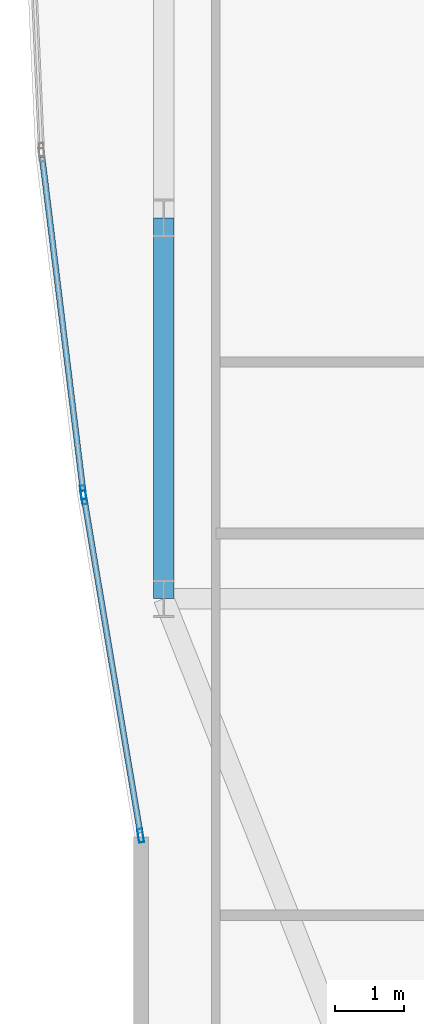
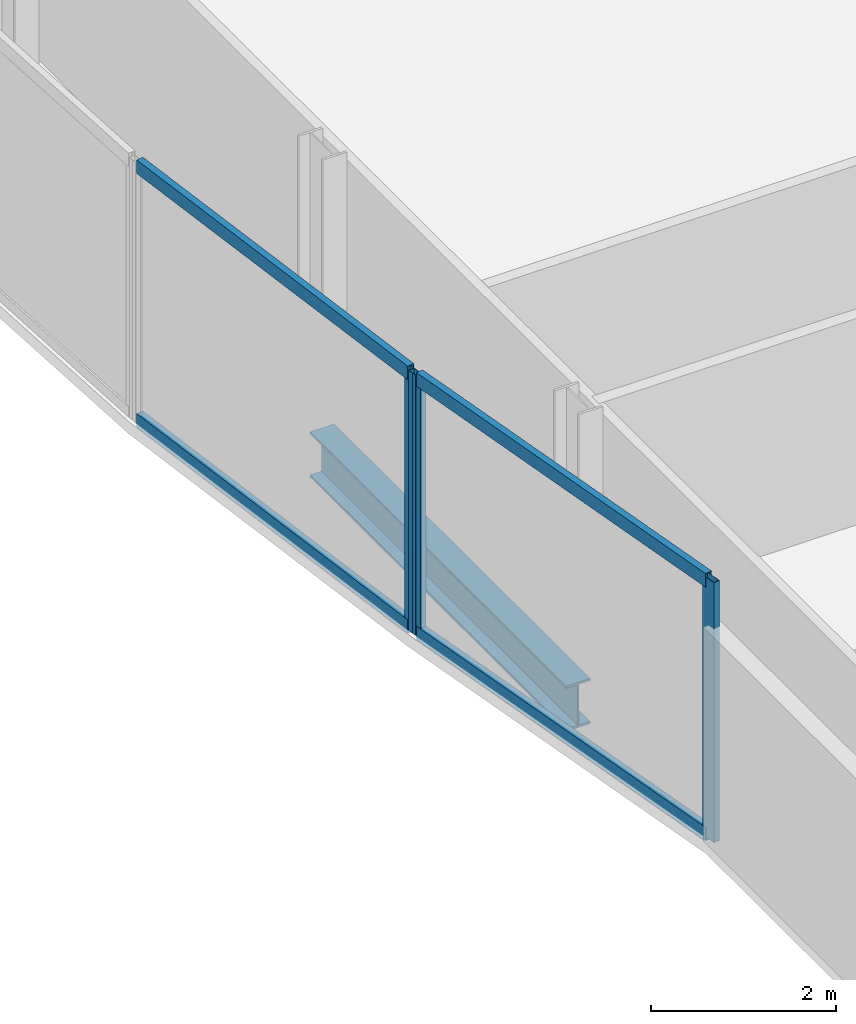
# One storey, part 6 of 31: 7 members, 1 beam, 2 elements without a shape of their own.
"""IFC4 building model written with IfcOpenShell, lengths in metres."""

from ifc_helpers import new_model, si_unit, direction, frame, origin, origin_2d, place, context, subcontext, project, spatial, hollow_rectangle, i_section, extrude, material, material_profile, profile_set, type_object, element, aggregate, save


model = new_model("IFC4")

# Units and contexts
model_context = context("Model", 3, precision=1e-05, world=origin(), true_north=direction((0.0, 1.0)))
body_context = subcontext(model_context, "Body", "Model", "MODEL_VIEW")
ifc_project = project(units=[si_unit("LENGTHUNIT", "METRE"), si_unit("AREAUNIT", "SQUARE_METRE"), si_unit("VOLUMEUNIT", "CUBIC_METRE"), si_unit("PLANEANGLEUNIT", "RADIAN"), si_unit("MASSUNIT", "GRAM", prefix="KILO")], contexts=[model_context])

# Site, building, storey
site_placement = place(None, origin())
site = spatial("IfcSite", under=ifc_project, at=site_placement, CompositionType="ELEMENT")
building_placement = place(site_placement, origin())
building = spatial("IfcBuilding", under=site, at=building_placement, Name="Khoronbel Lancet Exchange", CompositionType="ELEMENT")
storey_placement = place(building_placement, frame((0.0, 0.0, 121.800048828125)))
storey = spatial("IfcBuildingStorey", under=building, at=storey_placement, Name="L29", CompositionType="ELEMENT", Elevation=121.800048828125)

# Beam
ifc_material_1 = material(Name="Steel S355", Category="steel")
ifc_material_profile_1 = material_profile(ifc_material_1, i_section(OverallWidth=0.300048828125, OverallDepth=0.60009765625, WebThickness=0.015380859375, FlangeThickness=0.030029296875, at=origin_2d()), Name="HEB 600")
ifc_profile_set_1 = profile_set([ifc_material_profile_1], Name="Steel S355")
beam_type = type_object("IfcBeamType", Name="BM-BSP2", PredefinedType="SPANDREL", material=ifc_profile_set_1)
beam_placement = place(storey_placement, frame((3.27001953125, 24.75, -0.4599609375), z_axis=(0.0, -1.0, 0.0), x_axis=(1.0, 0.0, 0.0)))
element("IfcBeam", 1, at=beam_placement, inside=storey, type_object=beam_type, Name="Level L29 perimeter spandrel beam SP20", PredefinedType="SPANDREL", context=body_context, shape_type="SweptSolid", body=[
    extrude(i_section(OverallWidth=0.300048828125, OverallDepth=0.60009765625, WebThickness=0.015380859375, FlangeThickness=0.030029296875, at=origin_2d()), origin(), (0.0, 0.0, 1.0), 5.550048828125),
])

# Curtain wall, members
ifc_material_2 = material(Name="Low-E Solar Control Insulating Glass", Category="glass")
curtain_wall_type = type_object("IfcCurtainWallType", Name="CW-4", PredefinedType="NOTDEFINED", material=ifc_material_2)
curtain_wall_1_placement = place(storey_placement, origin())
curtain_wall_1 = element("IfcCurtainWall", 2, at=curtain_wall_1_placement, inside=storey, type_object=curtain_wall_type, Name="Unitised curtain wall CW-L29-E04", PredefinedType="NOTDEFINED")
ifc_material_3 = material(Name="Bronze-Anodised Aluminium 6063-T6", Category="aluminium")
ifc_material_profile_2 = material_profile(ifc_material_3, hollow_rectangle(XDim=0.074951171875, YDim=0.199951171875, WallThickness=0.0048828125, at=origin_2d()), Name="ALU MULLION 75x200")
ifc_profile_set_2 = profile_set([ifc_material_profile_2], Name="Bronze-Anodised Aluminium 6063-T6")
member_type_1 = type_object("IfcMemberType", Name="MEM-CWM2", PredefinedType="MULLION", material=ifc_profile_set_2)
member_1_placement = place(storey_placement, frame((2.933837890625, 15.744384765625, 0.0), z_axis=(0.0, 0.0, 1.0), x_axis=(-0.986244409726, -0.165293570002, 0.0)))
member_1 = element("IfcMember", 3, at=member_1_placement, type_object=member_type_1, Name="CW4 mullion 1", PredefinedType="MULLION", context=body_context, shape_type="SweptSolid", body=[
    extrude(hollow_rectangle(XDim=0.074951171875, YDim=0.199951171875, WallThickness=0.0048828125, at=origin_2d()), origin(), (0.0, 0.0, 1.0), 3.43994140625),
])
member_2_placement = place(storey_placement, frame((2.107177734375, 20.676025390625, 0.0), z_axis=(0.0, 0.0, 1.0), x_axis=(-0.986244409726, -0.165293570002, 0.0)))
member_2 = element("IfcMember", 4, at=member_2_placement, type_object=member_type_1, Name="CW4 mullion 2", PredefinedType="MULLION", context=body_context, shape_type="SweptSolid", body=[
    extrude(hollow_rectangle(XDim=0.074951171875, YDim=0.199951171875, WallThickness=0.0048828125, at=origin_2d()), origin(), (0.0, 0.0, 1.0), 3.43994140625),
])

# Curtain wall, member
curtain_wall_2_placement = place(storey_placement, origin())
curtain_wall_2 = element("IfcCurtainWall", 5, at=curtain_wall_2_placement, inside=storey, type_object=curtain_wall_type, Name="Unitised curtain wall CW-L29-E05", PredefinedType="NOTDEFINED")
member_3_placement = place(storey_placement, frame((2.096435546875, 20.75, 0.0), z_axis=(0.0, 0.0, 1.0), x_axis=(-0.992557199503, -0.121779332051, 0.0)))
member_3 = element("IfcMember", 6, at=member_3_placement, type_object=member_type_1, Name="CW4 mullion 1", PredefinedType="MULLION", context=body_context, shape_type="SweptSolid", body=[
    extrude(hollow_rectangle(XDim=0.074951171875, YDim=0.199951171875, WallThickness=0.0048828125, at=origin_2d()), origin(), (0.0, 0.0, 1.0), 3.43994140625),
])

# Member
ifc_material_profile_3 = material_profile(ifc_material_3, hollow_rectangle(XDim=0.0849609375, YDim=0.179931640625, WallThickness=0.0048828125, at=origin_2d()), Name="ALU TRANSOM 85x180")
ifc_profile_set_3 = profile_set([ifc_material_profile_3], Name="Bronze-Anodised Aluminium 6063-T6")
member_type_2 = type_object("IfcMemberType", Name="MEM-CWT1", PredefinedType="USERDEFINED", material=ifc_profile_set_3)
member_4_placement = place(storey_placement, frame((2.927490234375, 15.781494140625, 0.04248046875), z_axis=(-0.165267072133, 0.986248850376, 0.0), x_axis=(-0.986248850376, -0.165267072133, 0.0)))
member_4 = element("IfcMember", 7, at=member_4_placement, type_object=member_type_2, Name="CW4 transom 1.1", ObjectType="TRANSOM", PredefinedType="USERDEFINED", context=body_context, shape_type="SweptSolid", body=[
    extrude(hollow_rectangle(XDim=0.0849609375, YDim=0.179931640625, WallThickness=0.0048828125, at=origin_2d()), origin(), (0.0, 0.0, 1.0), 4.925048828125),
])

member_5_placement = place(storey_placement, frame((2.927490234375, 15.781494140625, 3.3974609375), z_axis=(-0.165267072133, 0.986248850376, 0.0), x_axis=(-0.986248850376, -0.165267072133, 0.0)))
member_5 = element("IfcMember", 8, at=member_5_placement, type_object=member_type_2, Name="CW4 transom 1.2", ObjectType="TRANSOM", PredefinedType="USERDEFINED", context=body_context, shape_type="SweptSolid", body=[
    extrude(hollow_rectangle(XDim=0.0849609375, YDim=0.179931640625, WallThickness=0.0048828125, at=origin_2d()), origin(), (0.0, 0.0, 1.0), 4.925048828125),
])

aggregate(curtain_wall_1, [member_1, member_2, member_4, member_5])

member_6_placement = place(storey_placement, frame((2.092041015625, 20.787353515625, 0.04248046875), z_axis=(-0.121818700606, 0.992552368484, 0.0), x_axis=(-0.992552368484, -0.121818700606, 0.0)))
member_6 = element("IfcMember", 9, at=member_6_placement, type_object=member_type_2, Name="CW4 transom 1.1", ObjectType="TRANSOM", PredefinedType="USERDEFINED", context=body_context, shape_type="SweptSolid", body=[
    extrude(hollow_rectangle(XDim=0.0849609375, YDim=0.179931640625, WallThickness=0.0048828125, at=origin_2d()), origin(), (0.0, 0.0, 1.0), 4.882080078125),
])

member_7_placement = place(storey_placement, frame((2.092041015625, 20.787353515625, 3.3974609375), z_axis=(-0.121818700606, 0.992552368484, 0.0), x_axis=(-0.992552368484, -0.121818700606, 0.0)))
member_7 = element("IfcMember", 10, at=member_7_placement, type_object=member_type_2, Name="CW4 transom 1.2", ObjectType="TRANSOM", PredefinedType="USERDEFINED", context=body_context, shape_type="SweptSolid", body=[
    extrude(hollow_rectangle(XDim=0.0849609375, YDim=0.179931640625, WallThickness=0.0048828125, at=origin_2d()), origin(), (0.0, 0.0, 1.0), 4.882080078125),
])

aggregate(curtain_wall_2, [member_3, member_6, member_7])

save(model, "model.ifc")
